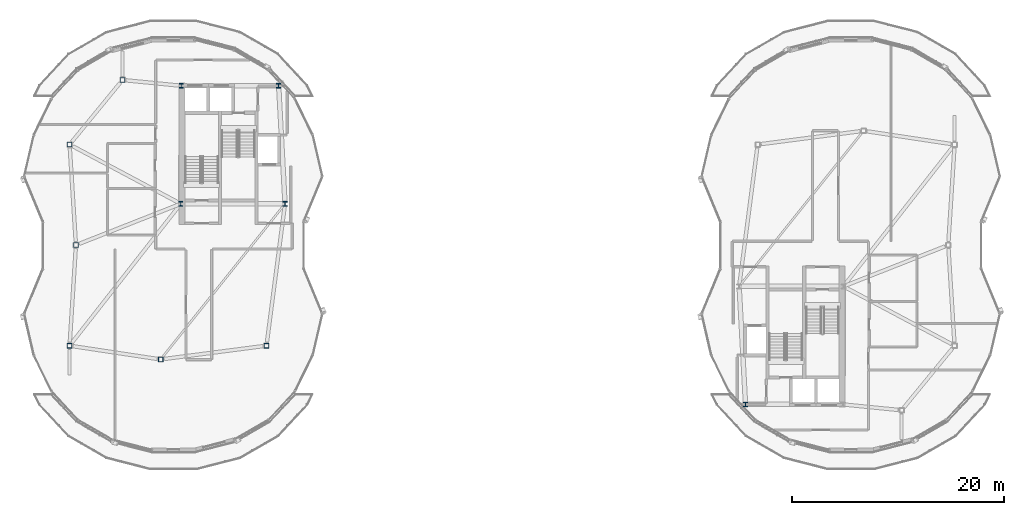
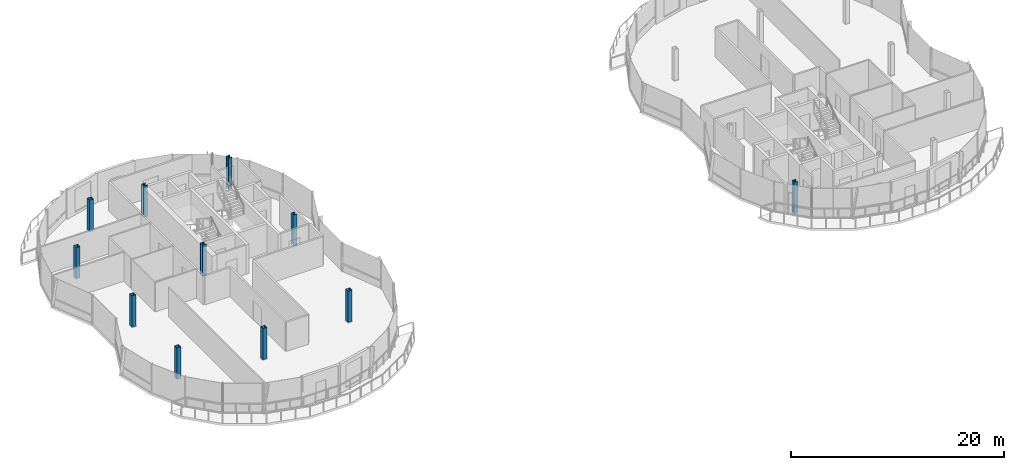
# One storey, part 1 of 20: 11 columns.
"""IFC4 building model written with IfcOpenShell, lengths in metres."""

from ifc_helpers import new_model, si_unit, direction, frame, origin, origin_2d, place, context, subcontext, project, spatial, hollow_rectangle, i_section, extrude, material, material_profile, profile_set, type_object, element, save


model = new_model("IFC4")

# Units and contexts
model_context = context("Model", 3, precision=1e-05, world=origin(), true_north=direction((0.0, 1.0)))
body_context = subcontext(model_context, "Body", "Model", "MODEL_VIEW")
ifc_project = project(units=[si_unit("LENGTHUNIT", "METRE"), si_unit("AREAUNIT", "SQUARE_METRE"), si_unit("VOLUMEUNIT", "CUBIC_METRE"), si_unit("PLANEANGLEUNIT", "RADIAN"), si_unit("MASSUNIT", "GRAM", prefix="KILO"), si_unit("THERMODYNAMICTEMPERATUREUNIT", "KELVIN"), si_unit("POWERUNIT", "WATT")], contexts=[model_context])

# Site, building, storey
site_placement = place(None, origin())
site = spatial("IfcSite", under=ifc_project, at=site_placement, CompositionType="ELEMENT")
building_placement = place(site_placement, origin())
building = spatial("IfcBuilding", under=site, at=building_placement, Name="Cundina Bronze Exchange", CompositionType="ELEMENT")
storey_placement = place(building_placement, frame((0.0, 0.0, 282.800048828125)))
storey = spatial("IfcBuildingStorey", under=building, at=storey_placement, Name="L75", CompositionType="ELEMENT", Elevation=282.800048828125)

# Columns
ifc_material_1 = material(Name="Steel ASTM A501 Grade B", Category="steel")
ifc_material_profile_1 = material_profile(ifc_material_1, hollow_rectangle(XDim=0.449951171875, YDim=0.449951171875, WallThickness=0.02490234375, at=origin_2d()), Name="HSS450X450X25", Category="steel")
ifc_profile_set_1 = profile_set([ifc_material_profile_1], Name="Steel ASTM A501 Grade B")
column_type_1 = type_object("IfcColumnType", Name="COL-STL-HSS45", PredefinedType="COLUMN", material=ifc_profile_set_1)
for number, where, z_axis, x_axis, name in (
    (1, (-41.199951171875, 0.0, 0.0), (0.0, 0.0, 1.0), (1.0, 0.0, 0.0), "L75 W Inner Ring Column 1"),
    (2, (-41.800048828125, 9.5, 0.0), (0.0, 0.0, 1.0), (1.0, 0.0, 0.0), "L75 W Inner Ring Column 2"),
    (3, (-36.800048828125, 15.60009765625, 0.0), (0.0, 0.0, 1.0), (1.0, 0.0, 0.0), "L75 W Inner Ring Column 3"),
    (4, (-41.800048828125, -9.5, 0.0), (0.0, 0.0, 1.0), (1.0, 0.0, 0.0), "L75 W Inner Ring Column 4"),
    (5, (-33.199951171875, -10.800048828125, 0.0), (0.0, 0.0, 1.0), (1.0, 0.0, 0.0), "L75 W Inner Ring Column 5"),
    (6, (-23.199951171875, -9.5, 0.0), (0.0, 0.0, 1.0), (1.0, 0.0, 0.0), "L75 W Inner Ring Column 6"),
):
    element("IfcColumn", number, at=place(storey_placement, frame(where, z_axis=z_axis, x_axis=x_axis)), inside=storey, type_object=column_type_1, Name=name, PredefinedType="COLUMN", context=body_context, shape_type="SweptSolid", body=[
        extrude(hollow_rectangle(XDim=0.449951171875, YDim=0.449951171875, WallThickness=0.02490234375, at=origin_2d()), origin(), (0.0, 0.0, 1.0), 3.599853515625),
    ])
ifc_material_2 = material(Name="Steel ASTM A992 Grade 50", Category="steel")
ifc_material_profile_2 = material_profile(ifc_material_2, i_section(OverallWidth=0.416015625, OverallDepth=0.446044921875, WebThickness=0.0390625, FlangeThickness=0.062744140625, FilletRadius=0.01806640625, at=origin_2d()), Name="W14X342", Category="steel")
ifc_profile_set_2 = profile_set([ifc_material_profile_2], Name="Steel ASTM A992 Grade 50")
column_type_2 = type_object("IfcColumnType", Name="COL-STL-W14B", PredefinedType="COLUMN", material=ifc_profile_set_2)
for number, where, z_axis, x_axis, name in (
    (7, (-31.300048828125, 3.89990234375, 0.0), (0.0, 0.0, 1.0), (1.0, 0.0, 0.0), "L75 Core Anchor Column W1"),
    (8, (-21.449951171875, 3.89990234375, 0.0), (0.0, 0.0, 1.0), (1.0, 0.0, 0.0), "L75 Core Anchor Column W2"),
    (9, (-22.050048828125, 15.050048828125, 0.0), (0.0, 0.0, 1.0), (1.0, 0.0, 0.0), "L75 Core Anchor Column W3"),
    (10, (-31.25, 15.050048828125, 0.0), (0.0, 0.0, 1.0), (1.0, 0.0, 0.0), "L75 Core Anchor Column W4"),
    (11, (22.050048828125, -15.050048828125, 0.0), (0.0, 0.0, 1.0), (1.0, 0.0, 0.0), "L75 Core Anchor Column E3"),
):
    element("IfcColumn", number, at=place(storey_placement, frame(where, z_axis=z_axis, x_axis=x_axis)), inside=storey, type_object=column_type_2, Name=name, PredefinedType="COLUMN", context=body_context, shape_type="SweptSolid", body=[
        extrude(i_section(OverallWidth=0.416015625, OverallDepth=0.446044921875, WebThickness=0.0390625, FlangeThickness=0.062744140625, FilletRadius=0.01806640625, at=origin_2d()), origin(), (0.0, 0.0, 1.0), 3.599853515625),
    ])

save(model, "model.ifc")
